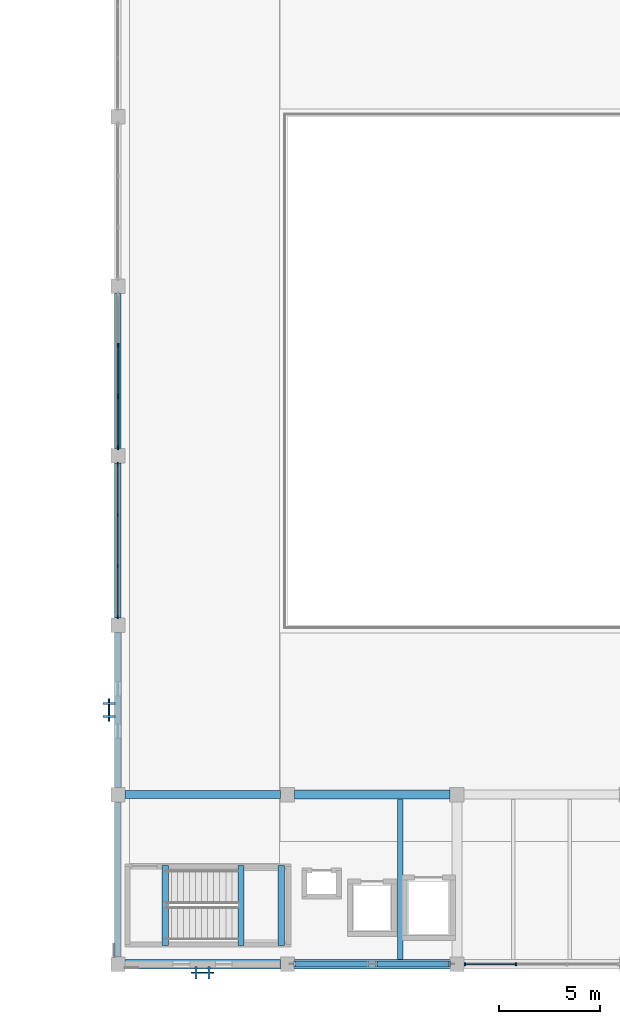
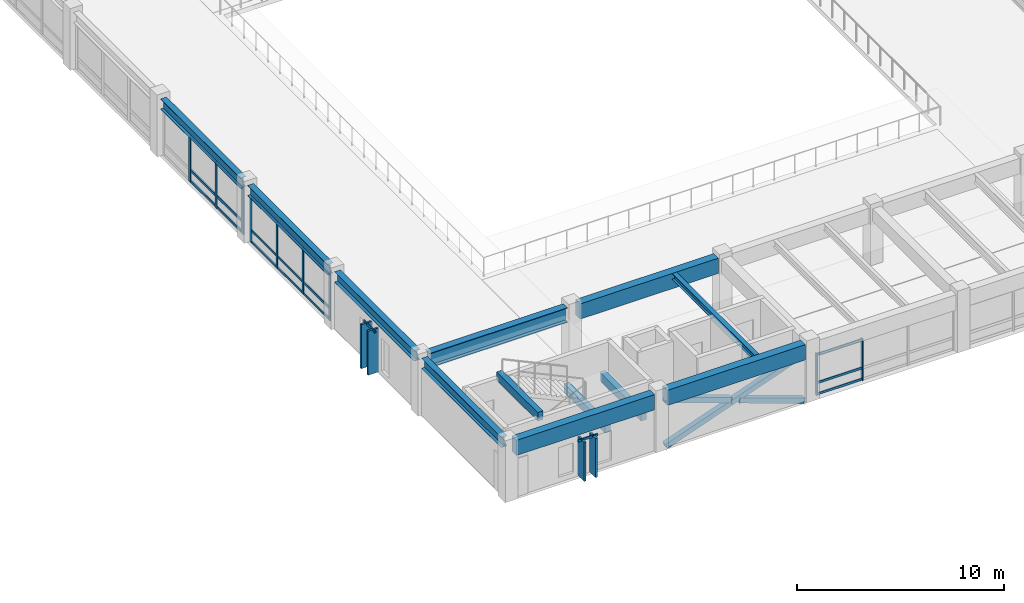
# One storey, part 40 of 118: 36 members, 12 beams, 5 elements without a shape of their own.
"""IFC4 building model written with IfcOpenShell, lengths in metres."""

import ifcopenshell
import ifcopenshell.guid

model = None  # the IFC model being written
_history = None  # IfcOwnerHistory: only IFC2X3 demands one
_inside = {}  # id of a spatial element -> (the spatial element, [elements in it])
_under = {}  # id of a project, library or spatial element -> (it, [spatial elements below it])
_declared = {}  # id of a project -> (the project, [libraries it declares])
_typed = {}  # id of a type object -> (the type object, [elements of that type])
_made_of = {}  # id of a material, layer set ... -> (it, [elements and type objects made of it])


def new_model(schema):
    """Start an empty IFC model of exactly this schema.

    Asked for "IFC4X3", IfcOpenShell would pick the latest addendum, in which some entities
    have other attributes; the version numbers below select the first issue.
    IFC2X3 requires an IfcOwnerHistory on every rooted entity: one is made here for all.
    """
    global model, _history
    if schema == "IFC4X3":
        model = ifcopenshell.file(schema_version=(4, 3, 0, 0))
    else:
        model = ifcopenshell.file(schema=schema)
    _inside.clear()
    _under.clear()
    _declared.clear()
    _typed.clear()
    _made_of.clear()
    _history = None
    if model.schema == "IFC2X3":
        org = make("IfcOrganization", Name="unknown")
        user = make(
            "IfcPersonAndOrganization",
            ThePerson=make("IfcPerson", FamilyName="unknown"),
            TheOrganization=org,
        )
        app = make(
            "IfcApplication",
            ApplicationDeveloper=org,
            Version="unknown",
            ApplicationFullName="unknown",
            ApplicationIdentifier="unknown",
        )
        _history = make(
            "IfcOwnerHistory",
            OwningUser=user,
            OwningApplication=app,
            ChangeAction="ADDED",
            CreationDate=0,
        )
    return model


def make(cls, **values):
    """One entity of the class cls with the attributes given. An attribute that is None is left unset."""
    return model.create_entity(
        cls, **{name: value for name, value in values.items() if value is not None}
    )


def rooted(cls, **values):
    """An entity with a GlobalId (a new one), such as an element, a storey or a relation."""
    return make(cls, GlobalId=ifcopenshell.guid.new(), OwnerHistory=_history, **values)


def si_unit(unit_type, name, prefix=None):
    """IfcSIUnit, for example si_unit("LENGTHUNIT", "METRE", prefix="MILLI")."""
    return make("IfcSIUnit", UnitType=unit_type, Prefix=prefix, Name=name)


def assignment(units):
    """IfcUnitAssignment: the units of a project."""
    return None if units is None else make("IfcUnitAssignment", Units=units)


def point(xyz):
    """IfcCartesianPoint."""
    return None if xyz is None else make("IfcCartesianPoint", Coordinates=xyz)


def direction(xyz):
    """IfcDirection."""
    return None if xyz is None else make("IfcDirection", DirectionRatios=xyz)


def frame(location, z_axis=None, x_axis=None):
    """IfcAxis2Placement3D, a coordinate frame: its origin and axes. An axis left out is left unset."""
    return make(
        "IfcAxis2Placement3D",
        Location=point(location),
        Axis=direction(z_axis),
        RefDirection=direction(x_axis),
    )


def frame_2d(location, x_axis=None):
    """IfcAxis2Placement2D, a coordinate frame in the plane: its origin and x axis."""
    return make(
        "IfcAxis2Placement2D", Location=point(location), RefDirection=direction(x_axis)
    )


def origin():
    """The frame at (0, 0, 0) with its axes left unset."""
    return frame((0.0, 0.0, 0.0))


def origin_2d():
    """The frame at (0, 0) in the plane with its x axis left unset."""
    return frame_2d((0.0, 0.0))


def place(relative_to, where):
    """IfcLocalPlacement: puts the frame where relative to a parent placement (None: the world)."""
    return make(
        "IfcLocalPlacement", PlacementRelTo=relative_to, RelativePlacement=where
    )


def context(
    kind, dimensions, precision=None, world=None, true_north=None, identifier=None
):
    """IfcGeometricRepresentationContext, for example the 3D "Model" context."""
    return make(
        "IfcGeometricRepresentationContext",
        ContextIdentifier=identifier,
        ContextType=kind,
        CoordinateSpaceDimension=dimensions,
        Precision=precision,
        WorldCoordinateSystem=world,
        TrueNorth=true_north,
    )


def subcontext(parent, identifier, kind, view, scale=None):
    """IfcGeometricRepresentationSubContext, for example "Body" below "Model"."""
    return make(
        "IfcGeometricRepresentationSubContext",
        ContextIdentifier=identifier,
        ContextType=kind,
        ParentContext=parent,
        TargetScale=scale,
        TargetView=view,
    )


def project(units=None, contexts=None):
    """IfcProject with its units and contexts."""
    return rooted(
        "IfcProject",
        Name="project",
        RepresentationContexts=contexts,
        UnitsInContext=assignment(units),
    )


def spatial(cls, under=None, at=None, **own):
    """A site, building, storey or space (cls), placed at a placement, below another one or the project."""
    s = rooted(cls, ObjectPlacement=at, **own)
    if under is not None:
        _under.setdefault(under.id(), (under, []))[1].append(s)
    return s


def profile(cls, at=None, kind="AREA", **sizes):
    """A parametric profile (cls). Its sizes go by their IFC names, for example OverallWidth=200.0."""
    return make(cls, ProfileType=kind, Position=at, **sizes)


def rectangle(**sizes):
    """IfcRectangleProfileDef."""
    return profile("IfcRectangleProfileDef", **sizes)


def hollow_rectangle(**sizes):
    """IfcRectangleHollowProfileDef."""
    return profile("IfcRectangleHollowProfileDef", **sizes)


def i_section(**sizes):
    """IfcIShapeProfileDef."""
    return profile("IfcIShapeProfileDef", **sizes)


def extrude(swept, where, along, depth):
    """IfcExtrudedAreaSolid: the profile swept, set in the frame where, extruded along a direction by depth."""
    return make(
        "IfcExtrudedAreaSolid",
        SweptArea=swept,
        Position=where,
        ExtrudedDirection=direction(along),
        Depth=depth,
    )


def shape(context_of_items, identifier, shape_type, items):
    """IfcShapeRepresentation: the items that make up one representation, for example the "Body"."""
    return make(
        "IfcShapeRepresentation",
        ContextOfItems=context_of_items,
        RepresentationIdentifier=identifier,
        RepresentationType=shape_type,
        Items=items,
    )


def material(Name=None, Category=None):
    """IfcMaterial."""
    return make("IfcMaterial", Name=Name, Category=Category)


def material_profile(
    of_material, cross_section, Name=None, Category=None, Priority=None
):
    """IfcMaterialProfile: a cross section and its material."""
    return make(
        "IfcMaterialProfile",
        Name=Name,
        Material=of_material,
        Profile=cross_section,
        Priority=Priority,
        Category=Category,
    )


def profile_set(profiles, Name=None, composite=None):
    """IfcMaterialProfileSet."""
    return make(
        "IfcMaterialProfileSet",
        Name=Name,
        MaterialProfiles=profiles,
        CompositeProfile=composite,
    )


def made_of(thing, what):
    """Note that an element or type object is made of a material, layer set ...; save() writes the relation."""
    if what is not None:
        _made_of.setdefault(what.id(), (what, []))[1].append(thing)
    return thing


def type_object(cls, material=None, **own):
    """A type object (cls), such as IfcWallType, which elements share."""
    return made_of(rooted(cls, **own), material)


def element(
    cls,
    number,
    at=None,
    inside=None,
    cuts=None,
    type_object=None,
    material=None,
    context=None,
    identifier="Body",
    shape_type=None,
    held_by="IfcProductDefinitionShape",
    body=None,
    shapes=None,
    **own,
):
    """One element of the class cls, such as IfcWall. Its Tag is "e" and its number.

    at: its placement. inside: the storey or other place that contains it. cuts: it is an
    opening in that element (IfcRelVoidsElement). A single representation is given by context,
    identifier, shape_type and body (its items); several are given by shapes. held_by: the class
    of the entity that holds the representations. save() writes the other relations.
    """
    e = rooted(cls, Tag="e%d" % number, ObjectPlacement=at, **own)
    if body is not None:
        shapes = [shape(context, identifier, shape_type, body)]
    if shapes is not None:
        e.Representation = make(held_by, Representations=shapes)
    if inside is not None:
        _inside.setdefault(inside.id(), (inside, []))[1].append(e)
    if cuts is not None:
        rooted(
            "IfcRelVoidsElement", RelatingBuildingElement=cuts, RelatedOpeningElement=e
        )
    if type_object is not None:
        _typed.setdefault(type_object.id(), (type_object, []))[1].append(e)
    return made_of(e, material)


def aggregate(whole, parts):
    """IfcRelAggregates: a whole, such as a stair, and the parts it consists of."""
    return rooted("IfcRelAggregates", RelatingObject=whole, RelatedObjects=parts)


def save(model, path):
    """Write the relations noted so far, then the file.

    IfcRelAggregates (storeys below a building ...), IfcRelContainedInSpatialStructure (elements
    in a storey), IfcRelDefinesByType, IfcRelAssociatesMaterial and IfcRelDeclares: one each for
    every whole, place, type object, material and project.
    """
    for whole, parts in _under.values():
        aggregate(whole, parts)
    for where, things in _inside.values():
        rooted(
            "IfcRelContainedInSpatialStructure",
            RelatedElements=things,
            RelatingStructure=where,
        )
    for kind, things in _typed.values():
        rooted("IfcRelDefinesByType", RelatedObjects=things, RelatingType=kind)
    for what, things in _made_of.values():
        rooted("IfcRelAssociatesMaterial", RelatedObjects=things, RelatingMaterial=what)
    for by, libraries in _declared.values():
        rooted("IfcRelDeclares", RelatingContext=by, RelatedDefinitions=libraries)
    model.write(path)


model = new_model("IFC4")

# Units and contexts
model_context = context("Model", 3, precision=1e-05, world=origin(), true_north=direction((0.0, 1.0)))
body_context = subcontext(model_context, "Body", "Model", "MODEL_VIEW")
ifc_project = project(units=[si_unit("LENGTHUNIT", "METRE"), si_unit("AREAUNIT", "SQUARE_METRE"), si_unit("VOLUMEUNIT", "CUBIC_METRE"), si_unit("PLANEANGLEUNIT", "RADIAN"), si_unit("MASSUNIT", "GRAM", prefix="KILO")], contexts=[model_context])

# Site, building, storey
site_placement = place(None, origin())
site = spatial("IfcSite", under=ifc_project, at=site_placement, CompositionType="ELEMENT")
building_placement = place(site_placement, origin())
building = spatial("IfcBuilding", under=site, at=building_placement, Name="Cumbredor Promenade Congress Hotel", CompositionType="ELEMENT")
storey_placement = place(building_placement, frame((0.0, 0.0, 3.919921875)))
storey = spatial("IfcBuildingStorey", under=building, at=storey_placement, Name="L01", CompositionType="ELEMENT", Elevation=3.919921875)

# Beam
ifc_material_1 = material(Name="Steel ASTM A992 Grade 50", Category="steel")
ifc_material_profile_1 = material_profile(ifc_material_1, i_section(OverallWidth=0.39990234375, OverallDepth=0.85498046875, WebThickness=0.018310546875, FlangeThickness=0.029296875, at=origin_2d()), Name="W33X201")
ifc_profile_set_1 = profile_set([ifc_material_profile_1], Name="Steel ASTM A992 Grade 50")
beam_type_1 = type_object("IfcBeamType", Name="BM-W33X201", PredefinedType="BEAM", material=ifc_profile_set_1)
beam_1_placement = place(storey_placement, frame((143.14990234375, 16.800048828125, 2.9326171875), z_axis=(1.0, 0.0, 0.0), x_axis=(0.0, 1.0, 0.0)))
element("IfcBeam", 1, at=beam_1_placement, inside=storey, type_object=beam_type_1, Name="L02 X-Grid Beam 222", PredefinedType="BEAM", context=body_context, shape_type="SweptSolid", body=[
    extrude(i_section(OverallWidth=0.39990234375, OverallDepth=0.85498046875, WebThickness=0.018310546875, FlangeThickness=0.029296875, at=origin_2d()), origin(), (0.0, 0.0, 1.0), 7.7001953125),
])

# Curtain wall, members
ifc_material_2 = material(Name="Thermally broken anodized aluminium and low-E glass", Category="aluminium")
curtain_wall_type_1 = type_object("IfcCurtainWallType", Name="Unitised Bronze Curtain Wall CW-01", PredefinedType="NOTDEFINED", material=ifc_material_2)
curtain_wall_1_placement = place(storey_placement, origin())
curtain_wall_1 = element("IfcCurtainWall", 2, at=curtain_wall_1_placement, inside=storey, type_object=curtain_wall_type_1, Name="L01 Grand Ballroom Pavilion South Curtain Wall 3", PredefinedType="NOTDEFINED")
ifc_material_3 = material(Name="Thermally broken anodized aluminium", Category="aluminium")
ifc_material_profile_2 = material_profile(ifc_material_3, rectangle(XDim=0.06494140625, YDim=0.159912109375, at=origin_2d()), Name="ALU MULLION 65x160")
ifc_profile_set_2 = profile_set([ifc_material_profile_2], Name="Thermally broken anodized aluminium")
member_type_1 = type_object("IfcMemberType", Name="Curtain Wall Mullion ML-01", PredefinedType="MULLION", material=ifc_profile_set_2)
member_1_placement = place(storey_placement, frame((160.0048828125, 8.39990234375, -0.0078125), z_axis=(0.0, 0.0, 1.0), x_axis=(1.0, 0.0, 0.0)))
member_1 = element("IfcMember", 3, at=member_1_placement, type_object=member_type_1, Name="L01 Grand Ballroom Pavilion South Curtain Wall 3 Mullion 1", PredefinedType="MULLION", context=body_context, shape_type="SweptSolid", body=[
    extrude(rectangle(XDim=0.06494140625, YDim=0.159912109375, at=origin_2d()), origin(), (0.0, 0.0, 1.0), 2.4609375),
])
member_2_placement = place(storey_placement, frame((162.534912109375, 8.39990234375, -0.0078125), z_axis=(0.0, 0.0, 1.0), x_axis=(1.0, 0.0, 0.0)))
member_2 = element("IfcMember", 4, at=member_2_placement, type_object=member_type_1, Name="L01 Grand Ballroom Pavilion South Curtain Wall 3 Mullion 2", PredefinedType="MULLION", context=body_context, shape_type="SweptSolid", body=[
    extrude(rectangle(XDim=0.06494140625, YDim=0.159912109375, at=origin_2d()), origin(), (0.0, 0.0, 1.0), 2.4609375),
])

curtain_wall_2_placement = place(storey_placement, origin())
curtain_wall_2 = element("IfcCurtainWall", 5, at=curtain_wall_2_placement, inside=storey, type_object=curtain_wall_type_1, Name="L01 Grand Ballroom Pavilion West Curtain Wall 3", PredefinedType="NOTDEFINED")
member_3_placement = place(storey_placement, frame((142.800048828125, 25.60498046875, -0.0078125), z_axis=(0.0, 0.0, 1.0), x_axis=(1.0, 0.0, 0.0)))
member_3 = element("IfcMember", 6, at=member_3_placement, type_object=member_type_1, Name="L01 Grand Ballroom Pavilion West Curtain Wall 3 Mullion 1", PredefinedType="MULLION", context=body_context, shape_type="SweptSolid", body=[
    extrude(rectangle(XDim=0.06494140625, YDim=0.159912109375, at=origin_2d()), origin(), (0.0, 0.0, 1.0), 2.75),
])
member_4_placement = place(storey_placement, frame((142.800048828125, 28.135009765625, -0.0078125), z_axis=(0.0, 0.0, 1.0), x_axis=(1.0, 0.0, 0.0)))
member_4 = element("IfcMember", 7, at=member_4_placement, type_object=member_type_1, Name="L01 Grand Ballroom Pavilion West Curtain Wall 3 Mullion 2", PredefinedType="MULLION", context=body_context, shape_type="SweptSolid", body=[
    extrude(rectangle(XDim=0.06494140625, YDim=0.159912109375, at=origin_2d()), origin(), (0.0, 0.0, 1.0), 2.75),
])
member_5_placement = place(storey_placement, frame((142.800048828125, 30.6650390625, -0.0078125), z_axis=(0.0, 0.0, 1.0), x_axis=(1.0, 0.0, 0.0)))
member_5 = element("IfcMember", 8, at=member_5_placement, type_object=member_type_1, Name="L01 Grand Ballroom Pavilion West Curtain Wall 3 Mullion 3", PredefinedType="MULLION", context=body_context, shape_type="SweptSolid", body=[
    extrude(rectangle(XDim=0.06494140625, YDim=0.159912109375, at=origin_2d()), origin(), (0.0, 0.0, 1.0), 2.75),
])
member_6_placement = place(storey_placement, frame((142.800048828125, 33.195068359375, -0.0078125), z_axis=(0.0, 0.0, 1.0), x_axis=(1.0, 0.0, 0.0)))
member_6 = element("IfcMember", 9, at=member_6_placement, type_object=member_type_1, Name="L01 Grand Ballroom Pavilion West Curtain Wall 3 Mullion 4", PredefinedType="MULLION", context=body_context, shape_type="SweptSolid", body=[
    extrude(rectangle(XDim=0.06494140625, YDim=0.159912109375, at=origin_2d()), origin(), (0.0, 0.0, 1.0), 2.75),
])

curtain_wall_3_placement = place(storey_placement, origin())
curtain_wall_3 = element("IfcCurtainWall", 10, at=curtain_wall_3_placement, inside=storey, type_object=curtain_wall_type_1, Name="L01 Grand Ballroom Pavilion West Curtain Wall 4", PredefinedType="NOTDEFINED")
ifc_material_profile_3 = material_profile(ifc_material_3, rectangle(XDim=0.074951171875, YDim=0.199951171875, at=origin_2d()), Name="ALU MULLION 75x200")
ifc_profile_set_3 = profile_set([ifc_material_profile_3], Name="Thermally broken anodized aluminium")
member_type_2 = type_object("IfcMemberType", Name="Curtain Wall Mullion ML-02", PredefinedType="MULLION", material=ifc_profile_set_3)
member_7_placement = place(storey_placement, frame((142.800048828125, 34.0048828125, -0.0078125), z_axis=(0.0, 0.0, 1.0), x_axis=(1.0, 0.0, 0.0)))
member_7 = element("IfcMember", 11, at=member_7_placement, type_object=member_type_2, Name="L01 Grand Ballroom Pavilion West Curtain Wall 4 Mullion 1", PredefinedType="MULLION", context=body_context, shape_type="SweptSolid", body=[
    extrude(rectangle(XDim=0.074951171875, YDim=0.199951171875, at=origin_2d()), origin(), (0.0, 0.0, 1.0), 2.75),
])
member_8_placement = place(storey_placement, frame((142.800048828125, 36.534912109375, -0.0078125), z_axis=(0.0, 0.0, 1.0), x_axis=(1.0, 0.0, 0.0)))
member_8 = element("IfcMember", 12, at=member_8_placement, type_object=member_type_2, Name="L01 Grand Ballroom Pavilion West Curtain Wall 4 Mullion 2", PredefinedType="MULLION", context=body_context, shape_type="SweptSolid", body=[
    extrude(rectangle(XDim=0.074951171875, YDim=0.199951171875, at=origin_2d()), origin(), (0.0, 0.0, 1.0), 2.75),
])
member_9_placement = place(storey_placement, frame((142.800048828125, 39.06494140625, -0.0078125), z_axis=(0.0, 0.0, 1.0), x_axis=(1.0, 0.0, 0.0)))
member_9 = element("IfcMember", 13, at=member_9_placement, type_object=member_type_2, Name="L01 Grand Ballroom Pavilion West Curtain Wall 4 Mullion 3", PredefinedType="MULLION", context=body_context, shape_type="SweptSolid", body=[
    extrude(rectangle(XDim=0.074951171875, YDim=0.199951171875, at=origin_2d()), origin(), (0.0, 0.0, 1.0), 2.75),
])

# Curtain wall, member
curtain_wall_type_2 = type_object("IfcCurtainWallType", Name="Solar Brise-Soleil Screen Assembly CW-07", PredefinedType="NOTDEFINED", material=ifc_material_2)
curtain_wall_4_placement = place(storey_placement, origin())
curtain_wall_4 = element("IfcCurtainWall", 14, at=curtain_wall_4_placement, inside=storey, type_object=curtain_wall_type_2, Name="L01 Pier Brise-Soleil Screen 0163", PredefinedType="NOTDEFINED")
ifc_material_profile_4 = material_profile(ifc_material_3, rectangle(XDim=0.06494140625, YDim=0.1298828125, at=origin_2d()), Name="ALU TRANSOM 65x130")
ifc_profile_set_4 = profile_set([ifc_material_profile_4], Name="Thermally broken anodized aluminium")
member_type_3 = type_object("IfcMemberType", Name="Curtain Wall Transom TR-01", PredefinedType="USERDEFINED", material=ifc_profile_set_4)
member_10_placement = place(storey_placement, frame((146.449951171875, 7.9775390625, 2.28515625), z_axis=(1.0, 0.0, 0.0), x_axis=(0.0, 1.0, 0.0)))
member_10 = element("IfcMember", 15, at=member_10_placement, type_object=member_type_3, Name="L01 Pier Brise-Soleil Header 0165", ObjectType="TRANSOM", PredefinedType="USERDEFINED", context=body_context, shape_type="SweptSolid", body=[
    extrude(rectangle(XDim=0.06494140625, YDim=0.1298828125, at=origin_2d()), origin(), (0.0, 0.0, 1.0), 1.10009765625),
])

# Member
member_11_placement = place(storey_placement, frame((160.03759765625, 8.39990234375, 0.06005859375), z_axis=(1.0, 0.0, 0.0), x_axis=(0.0, 1.0, 0.0)))
member_11 = element("IfcMember", 16, at=member_11_placement, type_object=member_type_3, Name="L01 Grand Ballroom Pavilion South Curtain Wall 3 Transom 1.1", ObjectType="TRANSOM", PredefinedType="USERDEFINED", context=body_context, shape_type="SweptSolid", body=[
    extrude(rectangle(XDim=0.06494140625, YDim=0.1298828125, at=origin_2d()), origin(), (0.0, 0.0, 1.0), 2.46484375),
])

member_12_placement = place(storey_placement, frame((160.03759765625, 8.39990234375, 0.719970703125), z_axis=(1.0, 0.0, 0.0), x_axis=(0.0, 1.0, 0.0)))
member_12 = element("IfcMember", 17, at=member_12_placement, type_object=member_type_3, Name="L01 Grand Ballroom Pavilion South Curtain Wall 3 Transom 1.2", ObjectType="TRANSOM", PredefinedType="USERDEFINED", context=body_context, shape_type="SweptSolid", body=[
    extrude(rectangle(XDim=0.06494140625, YDim=0.1298828125, at=origin_2d()), origin(), (0.0, 0.0, 1.0), 2.46484375),
])

member_13_placement = place(storey_placement, frame((160.03759765625, 8.39990234375, 2.380126953125), z_axis=(1.0, 0.0, 0.0), x_axis=(0.0, 1.0, 0.0)))
member_13 = element("IfcMember", 18, at=member_13_placement, type_object=member_type_3, Name="L01 Grand Ballroom Pavilion South Curtain Wall 3 Transom 1.3", ObjectType="TRANSOM", PredefinedType="USERDEFINED", context=body_context, shape_type="SweptSolid", body=[
    extrude(rectangle(XDim=0.06494140625, YDim=0.1298828125, at=origin_2d()), origin(), (0.0, 0.0, 1.0), 2.46484375),
])

aggregate(curtain_wall_1, [member_1, member_2, member_11, member_12, member_13])

# Curtain wall, member
curtain_wall_5_placement = place(storey_placement, origin())
curtain_wall_5 = element("IfcCurtainWall", 19, at=curtain_wall_5_placement, inside=storey, type_object=curtain_wall_type_2, Name="L01 Pier Brise-Soleil Screen 0178", PredefinedType="NOTDEFINED")
member_14_placement = place(storey_placement, frame((142.364990234375, 20.449951171875, 2.573974609375), z_axis=(0.0, 1.0, 0.0), x_axis=(-1.0, 0.0, 0.0)))
member_14 = element("IfcMember", 20, at=member_14_placement, type_object=member_type_3, Name="L01 Pier Brise-Soleil Header 0180", ObjectType="TRANSOM", PredefinedType="USERDEFINED", context=body_context, shape_type="SweptSolid", body=[
    extrude(rectangle(XDim=0.06494140625, YDim=0.1298828125, at=origin_2d()), origin(), (0.0, 0.0, 1.0), 1.10009765625),
])

# Member
member_15_placement = place(storey_placement, frame((142.800048828125, 25.637451171875, 0.06005859375), z_axis=(0.0, 1.0, 0.0), x_axis=(-1.0, 0.0, 0.0)))
member_15 = element("IfcMember", 21, at=member_15_placement, type_object=member_type_3, Name="L01 Grand Ballroom Pavilion West Curtain Wall 3 Transom 1.1", ObjectType="TRANSOM", PredefinedType="USERDEFINED", context=body_context, shape_type="SweptSolid", body=[
    extrude(rectangle(XDim=0.06494140625, YDim=0.1298828125, at=origin_2d()), origin(), (0.0, 0.0, 1.0), 2.465087890625),
])

member_16_placement = place(storey_placement, frame((142.800048828125, 25.637451171875, 0.719970703125), z_axis=(0.0, 1.0, 0.0), x_axis=(-1.0, 0.0, 0.0)))
member_16 = element("IfcMember", 22, at=member_16_placement, type_object=member_type_3, Name="L01 Grand Ballroom Pavilion West Curtain Wall 3 Transom 1.2", ObjectType="TRANSOM", PredefinedType="USERDEFINED", context=body_context, shape_type="SweptSolid", body=[
    extrude(rectangle(XDim=0.06494140625, YDim=0.1298828125, at=origin_2d()), origin(), (0.0, 0.0, 1.0), 2.465087890625),
])

member_17_placement = place(storey_placement, frame((142.800048828125, 25.637451171875, 2.670166015625), z_axis=(0.0, 1.0, 0.0), x_axis=(-1.0, 0.0, 0.0)))
member_17 = element("IfcMember", 23, at=member_17_placement, type_object=member_type_3, Name="L01 Grand Ballroom Pavilion West Curtain Wall 3 Transom 1.3", ObjectType="TRANSOM", PredefinedType="USERDEFINED", context=body_context, shape_type="SweptSolid", body=[
    extrude(rectangle(XDim=0.06494140625, YDim=0.1298828125, at=origin_2d()), origin(), (0.0, 0.0, 1.0), 2.465087890625),
])

member_18_placement = place(storey_placement, frame((142.800048828125, 28.16748046875, 0.06005859375), z_axis=(0.0, 1.0, 0.0), x_axis=(-1.0, 0.0, 0.0)))
member_18 = element("IfcMember", 24, at=member_18_placement, type_object=member_type_3, Name="L01 Grand Ballroom Pavilion West Curtain Wall 3 Transom 2.1", ObjectType="TRANSOM", PredefinedType="USERDEFINED", context=body_context, shape_type="SweptSolid", body=[
    extrude(rectangle(XDim=0.06494140625, YDim=0.1298828125, at=origin_2d()), origin(), (0.0, 0.0, 1.0), 2.465087890625),
])

member_19_placement = place(storey_placement, frame((142.800048828125, 28.16748046875, 0.719970703125), z_axis=(0.0, 1.0, 0.0), x_axis=(-1.0, 0.0, 0.0)))
member_19 = element("IfcMember", 25, at=member_19_placement, type_object=member_type_3, Name="L01 Grand Ballroom Pavilion West Curtain Wall 3 Transom 2.2", ObjectType="TRANSOM", PredefinedType="USERDEFINED", context=body_context, shape_type="SweptSolid", body=[
    extrude(rectangle(XDim=0.06494140625, YDim=0.1298828125, at=origin_2d()), origin(), (0.0, 0.0, 1.0), 2.465087890625),
])

member_20_placement = place(storey_placement, frame((142.800048828125, 28.16748046875, 2.670166015625), z_axis=(0.0, 1.0, 0.0), x_axis=(-1.0, 0.0, 0.0)))
member_20 = element("IfcMember", 26, at=member_20_placement, type_object=member_type_3, Name="L01 Grand Ballroom Pavilion West Curtain Wall 3 Transom 2.3", ObjectType="TRANSOM", PredefinedType="USERDEFINED", context=body_context, shape_type="SweptSolid", body=[
    extrude(rectangle(XDim=0.06494140625, YDim=0.1298828125, at=origin_2d()), origin(), (0.0, 0.0, 1.0), 2.465087890625),
])

member_21_placement = place(storey_placement, frame((142.800048828125, 30.697509765625, 0.06005859375), z_axis=(0.0, 1.0, 0.0), x_axis=(-1.0, 0.0, 0.0)))
member_21 = element("IfcMember", 27, at=member_21_placement, type_object=member_type_3, Name="L01 Grand Ballroom Pavilion West Curtain Wall 3 Transom 3.1", ObjectType="TRANSOM", PredefinedType="USERDEFINED", context=body_context, shape_type="SweptSolid", body=[
    extrude(rectangle(XDim=0.06494140625, YDim=0.1298828125, at=origin_2d()), origin(), (0.0, 0.0, 1.0), 2.465087890625),
])

member_22_placement = place(storey_placement, frame((142.800048828125, 30.697509765625, 0.719970703125), z_axis=(0.0, 1.0, 0.0), x_axis=(-1.0, 0.0, 0.0)))
member_22 = element("IfcMember", 28, at=member_22_placement, type_object=member_type_3, Name="L01 Grand Ballroom Pavilion West Curtain Wall 3 Transom 3.2", ObjectType="TRANSOM", PredefinedType="USERDEFINED", context=body_context, shape_type="SweptSolid", body=[
    extrude(rectangle(XDim=0.06494140625, YDim=0.1298828125, at=origin_2d()), origin(), (0.0, 0.0, 1.0), 2.465087890625),
])

member_23_placement = place(storey_placement, frame((142.800048828125, 30.697509765625, 2.670166015625), z_axis=(0.0, 1.0, 0.0), x_axis=(-1.0, 0.0, 0.0)))
member_23 = element("IfcMember", 29, at=member_23_placement, type_object=member_type_3, Name="L01 Grand Ballroom Pavilion West Curtain Wall 3 Transom 3.3", ObjectType="TRANSOM", PredefinedType="USERDEFINED", context=body_context, shape_type="SweptSolid", body=[
    extrude(rectangle(XDim=0.06494140625, YDim=0.1298828125, at=origin_2d()), origin(), (0.0, 0.0, 1.0), 2.465087890625),
])

aggregate(curtain_wall_2, [member_3, member_4, member_5, member_6, member_15, member_16, member_17, member_18, member_19, member_20, member_21, member_22, member_23])

ifc_material_profile_5 = material_profile(ifc_material_3, rectangle(XDim=0.074951171875, YDim=0.14990234375, at=origin_2d()), Name="ALU TRANSOM 75x150")
ifc_profile_set_5 = profile_set([ifc_material_profile_5], Name="Thermally broken anodized aluminium")
member_type_4 = type_object("IfcMemberType", Name="Curtain Wall Transom TR-02", PredefinedType="USERDEFINED", material=ifc_profile_set_5)
member_24_placement = place(storey_placement, frame((142.800048828125, 34.04248046875, 0.080078125), z_axis=(0.0, 1.0, 0.0), x_axis=(-1.0, 0.0, 0.0)))
member_24 = element("IfcMember", 30, at=member_24_placement, type_object=member_type_4, Name="L01 Grand Ballroom Pavilion West Curtain Wall 4 Transom 1.1", ObjectType="TRANSOM", PredefinedType="USERDEFINED", context=body_context, shape_type="SweptSolid", body=[
    extrude(rectangle(XDim=0.074951171875, YDim=0.14990234375, at=origin_2d()), origin(), (0.0, 0.0, 1.0), 2.455078125),
])

member_25_placement = place(storey_placement, frame((142.800048828125, 34.04248046875, 0.719970703125), z_axis=(0.0, 1.0, 0.0), x_axis=(-1.0, 0.0, 0.0)))
member_25 = element("IfcMember", 31, at=member_25_placement, type_object=member_type_4, Name="L01 Grand Ballroom Pavilion West Curtain Wall 4 Transom 1.2", ObjectType="TRANSOM", PredefinedType="USERDEFINED", context=body_context, shape_type="SweptSolid", body=[
    extrude(rectangle(XDim=0.074951171875, YDim=0.14990234375, at=origin_2d()), origin(), (0.0, 0.0, 1.0), 2.455078125),
])

member_26_placement = place(storey_placement, frame((142.800048828125, 34.04248046875, 2.66015625), z_axis=(0.0, 1.0, 0.0), x_axis=(-1.0, 0.0, 0.0)))
member_26 = element("IfcMember", 32, at=member_26_placement, type_object=member_type_4, Name="L01 Grand Ballroom Pavilion West Curtain Wall 4 Transom 1.3", ObjectType="TRANSOM", PredefinedType="USERDEFINED", context=body_context, shape_type="SweptSolid", body=[
    extrude(rectangle(XDim=0.074951171875, YDim=0.14990234375, at=origin_2d()), origin(), (0.0, 0.0, 1.0), 2.455078125),
])

member_27_placement = place(storey_placement, frame((142.800048828125, 36.572509765625, 0.080078125), z_axis=(0.0, 1.0, 0.0), x_axis=(-1.0, 0.0, 0.0)))
member_27 = element("IfcMember", 33, at=member_27_placement, type_object=member_type_4, Name="L01 Grand Ballroom Pavilion West Curtain Wall 4 Transom 2.1", ObjectType="TRANSOM", PredefinedType="USERDEFINED", context=body_context, shape_type="SweptSolid", body=[
    extrude(rectangle(XDim=0.074951171875, YDim=0.14990234375, at=origin_2d()), origin(), (0.0, 0.0, 1.0), 2.455078125),
])

member_28_placement = place(storey_placement, frame((142.800048828125, 36.572509765625, 0.719970703125), z_axis=(0.0, 1.0, 0.0), x_axis=(-1.0, 0.0, 0.0)))
member_28 = element("IfcMember", 34, at=member_28_placement, type_object=member_type_4, Name="L01 Grand Ballroom Pavilion West Curtain Wall 4 Transom 2.2", ObjectType="TRANSOM", PredefinedType="USERDEFINED", context=body_context, shape_type="SweptSolid", body=[
    extrude(rectangle(XDim=0.074951171875, YDim=0.14990234375, at=origin_2d()), origin(), (0.0, 0.0, 1.0), 2.455078125),
])

member_29_placement = place(storey_placement, frame((142.800048828125, 36.572509765625, 2.66015625), z_axis=(0.0, 1.0, 0.0), x_axis=(-1.0, 0.0, 0.0)))
member_29 = element("IfcMember", 35, at=member_29_placement, type_object=member_type_4, Name="L01 Grand Ballroom Pavilion West Curtain Wall 4 Transom 2.3", ObjectType="TRANSOM", PredefinedType="USERDEFINED", context=body_context, shape_type="SweptSolid", body=[
    extrude(rectangle(XDim=0.074951171875, YDim=0.14990234375, at=origin_2d()), origin(), (0.0, 0.0, 1.0), 2.455078125),
])

aggregate(curtain_wall_3, [member_7, member_8, member_9, member_24, member_25, member_26, member_27, member_28, member_29])

# Beams
ifc_material_profile_6 = material_profile(ifc_material_1, i_section(OverallWidth=0.2548828125, OverallDepth=0.35693359375, WebThickness=0.010498046875, FlangeThickness=0.018310546875, at=origin_2d()), Name="W14X68")
ifc_profile_set_6 = profile_set([ifc_material_profile_6], Name="Steel ASTM A992 Grade 50")
beam_type_2 = type_object("IfcBeamType", Name="JST-W14X68", PredefinedType="JOIST", material=ifc_profile_set_6)
beam_2_placement = place(storey_placement, frame((156.800048828125, 8.625, 3.181640625), z_axis=(0.0, 1.0, 0.0), x_axis=(-1.0, 0.0, 0.0)))
element("IfcBeam", 36, at=beam_2_placement, inside=storey, type_object=beam_type_2, Name="L02 Secondary Floor Joist 0128", PredefinedType="JOIST", context=body_context, shape_type="SweptSolid", body=[
    extrude(i_section(OverallWidth=0.2548828125, OverallDepth=0.35693359375, WebThickness=0.010498046875, FlangeThickness=0.018310546875, at=origin_2d()), origin(), (0.0, 0.0, 1.0), 7.949951171875),
])
ifc_material_4 = material(Name="Concrete C40/50", Category="concrete")
ifc_material_profile_7 = material_profile(ifc_material_4, rectangle(XDim=0.300048828125, YDim=0.5, at=origin_2d()), Name="RC LINTEL 300x500")
ifc_profile_set_7 = profile_set([ifc_material_profile_7], Name="Concrete C40/50")
beam_type_3 = type_object("IfcBeamType", Name="LN-RC-300x500", PredefinedType="LINTEL", material=ifc_profile_set_7)
for number, where, z_axis, x_axis, name in (
    (37, (150.89990234375, 9.330078125, 1.3701171875), (0.0, 1.0, 0.0), (-1.0, 0.0, 0.0), "L01 Stair ST-08 Landing Ledger Beam E"),
    (38, (148.89990234375, 9.330078125, 1.3701171875), (0.0, 1.0, 0.0), (-1.0, 0.0, 0.0), "L01 Stair ST-08 Landing Ledger Beam W"),
    (39, (145.14990234375, 9.330078125, 3.39013671875), (0.0, 1.0, 0.0), (-1.0, 0.0, 0.0), "L02 Stair ST-08 Well Header Trimmer Beam"),
):
    element("IfcBeam", number, at=place(storey_placement, frame(where, z_axis=z_axis, x_axis=x_axis)), inside=storey, type_object=beam_type_3, Name=name, PredefinedType="LINTEL", context=body_context, shape_type="SweptSolid", body=[
        extrude(rectangle(XDim=0.300048828125, YDim=0.5, at=origin_2d()), origin(), (0.0, 0.0, 1.0), 3.969970703125),
    ])
ifc_material_profile_8 = material_profile(ifc_material_4, rectangle(XDim=0.449951171875, YDim=0.89990234375, at=origin_2d()), Name="RC SPANDREL 450x900")
ifc_profile_set_8 = profile_set([ifc_material_profile_8], Name="Concrete C40/50")
beam_type_4 = type_object("IfcBeamType", Name="SP-RC-450x900", PredefinedType="SPANDREL", material=ifc_profile_set_8)
beam_3_placement = place(storey_placement, frame((143.14990234375, 8.39990234375, 2.91015625), z_axis=(1.0, 0.0, 0.0), x_axis=(0.0, 1.0, 0.0)))
element("IfcBeam", 40, at=beam_3_placement, inside=storey, type_object=beam_type_4, Name="L02 X-Grid Beam 220", PredefinedType="SPANDREL", context=body_context, shape_type="SweptSolid", body=[
    extrude(rectangle(XDim=0.449951171875, YDim=0.89990234375, at=origin_2d()), origin(), (0.0, 0.0, 1.0), 7.7001953125),
])
for number, where, z_axis, x_axis, name in (
    (41, (151.550048828125, 8.39990234375, 2.91015625), (1.0, 0.0, 0.0), (0.0, 1.0, 0.0), "L02 X-Grid Beam 234"),
    (42, (151.550048828125, 16.800048828125, 2.91015625), (1.0, 0.0, 0.0), (0.0, 1.0, 0.0), "L02 X-Grid Beam 235"),
):
    element("IfcBeam", number, at=place(storey_placement, frame(where, z_axis=z_axis, x_axis=x_axis)), inside=storey, type_object=beam_type_4, Name=name, PredefinedType="SPANDREL", context=body_context, shape_type="SweptSolid", body=[
        extrude(rectangle(XDim=0.449951171875, YDim=0.89990234375, at=origin_2d()), origin(), (0.0, 0.0, 1.0), 7.699951171875),
    ])
ifc_material_profile_9 = material_profile(ifc_material_1, i_section(OverallWidth=0.323974609375, OverallDepth=0.611083984375, WebThickness=0.0126953125, FlangeThickness=0.01904296875, at=origin_2d()), Name="W24X104")
ifc_profile_set_9 = profile_set([ifc_material_profile_9], Name="Steel ASTM A992 Grade 50")
beam_type_5 = type_object("IfcBeamType", Name="SP-W24X104", PredefinedType="SPANDREL", material=ifc_profile_set_9)
beam_4_placement = place(storey_placement, frame((142.800048828125, 8.75, 3.0546875), z_axis=(0.0, 1.0, 0.0), x_axis=(-1.0, 0.0, 0.0)))
element("IfcBeam", 43, at=beam_4_placement, inside=storey, type_object=beam_type_5, Name="L02 Y-Grid Beam 221", PredefinedType="SPANDREL", context=body_context, shape_type="SweptSolid", body=[
    extrude(i_section(OverallWidth=0.323974609375, OverallDepth=0.611083984375, WebThickness=0.0126953125, FlangeThickness=0.01904296875, at=origin_2d()), origin(), (0.0, 0.0, 1.0), 7.699951171875),
])
beam_5_placement = place(storey_placement, frame((142.800048828125, 17.14990234375, 3.0546875), z_axis=(0.0, 1.0, 0.0), x_axis=(-1.0, 0.0, 0.0)))
element("IfcBeam", 44, at=beam_5_placement, inside=storey, type_object=beam_type_5, Name="L02 Y-Grid Beam 223", PredefinedType="SPANDREL", context=body_context, shape_type="SweptSolid", body=[
    extrude(i_section(OverallWidth=0.323974609375, OverallDepth=0.611083984375, WebThickness=0.0126953125, FlangeThickness=0.01904296875, at=origin_2d()), origin(), (0.0, 0.0, 1.0), 7.7001953125),
])
for number, where, z_axis, x_axis, name in (
    (45, (142.800048828125, 25.550048828125, 3.0546875), (0.0, 1.0, 0.0), (-1.0, 0.0, 0.0), "L02 Y-Grid Beam 224"),
    (46, (142.800048828125, 33.949951171875, 3.0546875), (0.0, 1.0, 0.0), (-1.0, 0.0, 0.0), "L02 Y-Grid Beam 225"),
):
    element("IfcBeam", number, at=place(storey_placement, frame(where, z_axis=z_axis, x_axis=x_axis)), inside=storey, type_object=beam_type_5, Name=name, PredefinedType="SPANDREL", context=body_context, shape_type="SweptSolid", body=[
        extrude(i_section(OverallWidth=0.323974609375, OverallDepth=0.611083984375, WebThickness=0.0126953125, FlangeThickness=0.01904296875, at=origin_2d()), origin(), (0.0, 0.0, 1.0), 7.699951171875),
    ])

# Members
ifc_material_5 = material(Name="Steel ASTM A500 Grade C", Category="steel")
ifc_material_profile_10 = material_profile(ifc_material_5, hollow_rectangle(XDim=0.300048828125, YDim=0.300048828125, WallThickness=0.01611328125, at=origin_2d()), Name="HSS 300x300x16")
ifc_profile_set_10 = profile_set([ifc_material_profile_10], Name="Steel ASTM A500 Grade C")
member_type_5 = type_object("IfcMemberType", Name="Seismic Frame Brace CBF-1", PredefinedType="BRACE", material=ifc_profile_set_10)
member_30_placement = place(storey_placement, frame((151.550048828125, 8.39990234375, 0.0), z_axis=(0.941741236037, 0.0, 0.336338288554), x_axis=(0.0, 1.0, 0.0)))
element("IfcMember", 47, at=member_30_placement, inside=storey, type_object=member_type_5, Name="L01 X-Brace Continuous Diagonal 15A", PredefinedType="BRACE", context=body_context, shape_type="SweptSolid", body=[
    extrude(hollow_rectangle(XDim=0.300048828125, YDim=0.300048828125, WallThickness=0.01611328125, at=origin_2d()), origin(), (0.0, 0.0, 1.0), 8.17626953125),
])
for number, where, z_axis, x_axis, name in (
    (48, (159.25, 8.39990234375, 0.0), (-0.941730428363, 0.0, 0.336368548315), (0.0, -1.0, 0.0), "L01 X-Brace Lower Split Diagonal 15B1"),
    (49, (155.174072265625, 8.39990234375, 1.455810546875), (-0.941750523482, 0.0, 0.336312282739), (0.0, -1.0, 0.0), "L01 X-Brace Upper Split Diagonal 15B2"),
):
    element("IfcMember", number, at=place(storey_placement, frame(where, z_axis=z_axis, x_axis=x_axis)), inside=storey, type_object=member_type_5, Name=name, PredefinedType="BRACE", context=body_context, shape_type="SweptSolid", body=[
        extrude(hollow_rectangle(XDim=0.300048828125, YDim=0.300048828125, WallThickness=0.01611328125, at=origin_2d()), origin(), (0.0, 0.0, 1.0), 3.84814453125),
    ])

# Member
ifc_material_profile_11 = material_profile(ifc_material_3, rectangle(XDim=0.110107421875, YDim=0.6201171875, at=origin_2d()), Name="ARCH FIN 110x620")
ifc_profile_set_11 = profile_set([ifc_material_profile_11], Name="Thermally broken anodized aluminium")
member_type_6 = type_object("IfcMemberType", Name="Vertical Bronze Brise-Soleil Fin BSF-02 110x620", PredefinedType="USERDEFINED", material=ifc_profile_set_11)
member_31_placement = place(storey_placement, frame((146.679931640625, 7.9775390625, 0.02001953125), z_axis=(0.0, 0.0, 1.0), x_axis=(1.0, 0.0, 0.0)))
member_31 = element("IfcMember", 50, at=member_31_placement, type_object=member_type_6, Name="L01 Pier Brise-Soleil Fin 0164", ObjectType="SOLAR FIN", PredefinedType="USERDEFINED", context=body_context, shape_type="SweptSolid", body=[
    extrude(rectangle(XDim=0.110107421875, YDim=0.6201171875, at=origin_2d()), origin(), (0.0, 0.0, 1.0), 2.30517578125),
])

member_32_placement = place(storey_placement, frame((147.320068359375, 7.9775390625, 0.02001953125), z_axis=(0.0, 0.0, 1.0), x_axis=(1.0, 0.0, 0.0)))
member_32 = element("IfcMember", 51, at=member_32_placement, type_object=member_type_6, Name="L01 Pier Brise-Soleil Fin 0165", ObjectType="SOLAR FIN", PredefinedType="USERDEFINED", context=body_context, shape_type="SweptSolid", body=[
    extrude(rectangle(XDim=0.110107421875, YDim=0.6201171875, at=origin_2d()), origin(), (0.0, 0.0, 1.0), 2.30517578125),
])

aggregate(curtain_wall_4, [member_31, member_32, member_10])

member_33_placement = place(storey_placement, frame((142.364990234375, 20.679931640625, 0.02001953125), z_axis=(0.0, 0.0, 1.0), x_axis=(0.0, 1.0, 0.0)))
member_33 = element("IfcMember", 52, at=member_33_placement, type_object=member_type_6, Name="L01 Pier Brise-Soleil Fin 0179", ObjectType="SOLAR FIN", PredefinedType="USERDEFINED", context=body_context, shape_type="SweptSolid", body=[
    extrude(rectangle(XDim=0.110107421875, YDim=0.6201171875, at=origin_2d()), origin(), (0.0, 0.0, 1.0), 2.593994140625),
])

member_34_placement = place(storey_placement, frame((142.364990234375, 21.320068359375, 0.02001953125), z_axis=(0.0, 0.0, 1.0), x_axis=(0.0, 1.0, 0.0)))
member_34 = element("IfcMember", 53, at=member_34_placement, type_object=member_type_6, Name="L01 Pier Brise-Soleil Fin 0180", ObjectType="SOLAR FIN", PredefinedType="USERDEFINED", context=body_context, shape_type="SweptSolid", body=[
    extrude(rectangle(XDim=0.110107421875, YDim=0.6201171875, at=origin_2d()), origin(), (0.0, 0.0, 1.0), 2.593994140625),
])

aggregate(curtain_wall_5, [member_33, member_34, member_14])

save(model, "model.ifc")
